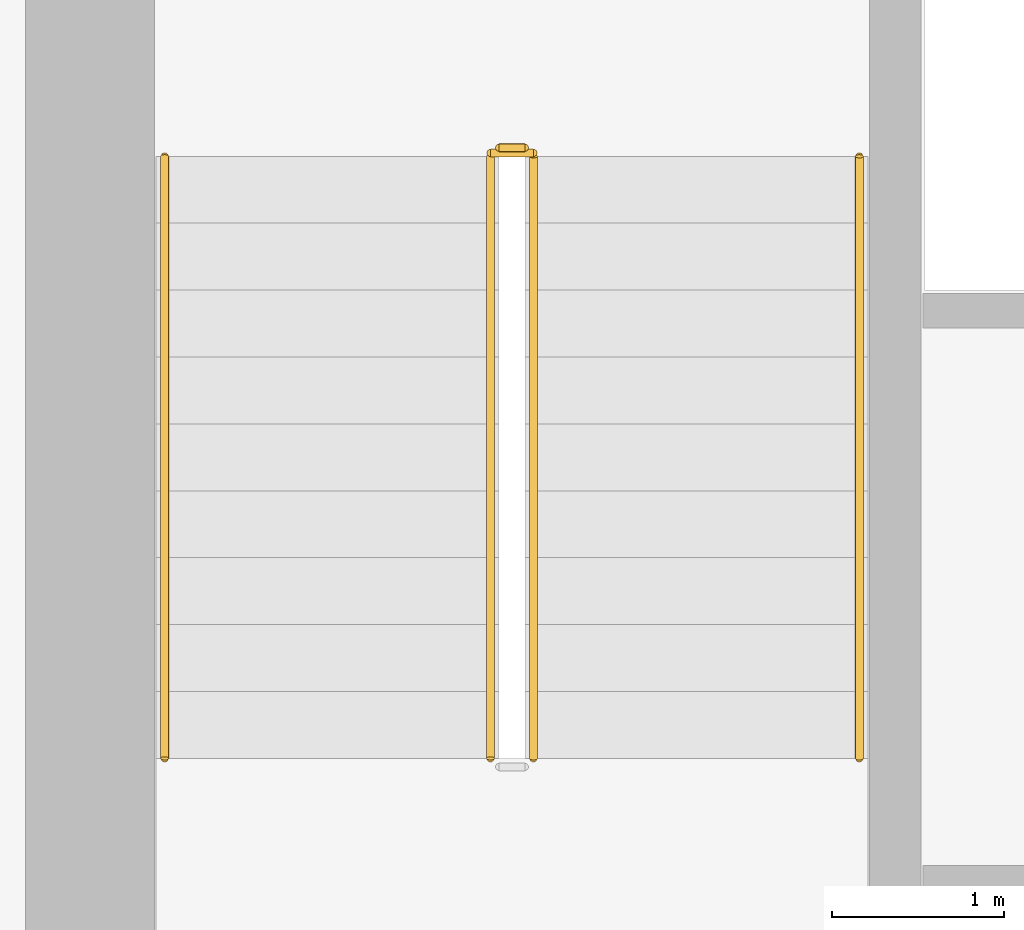
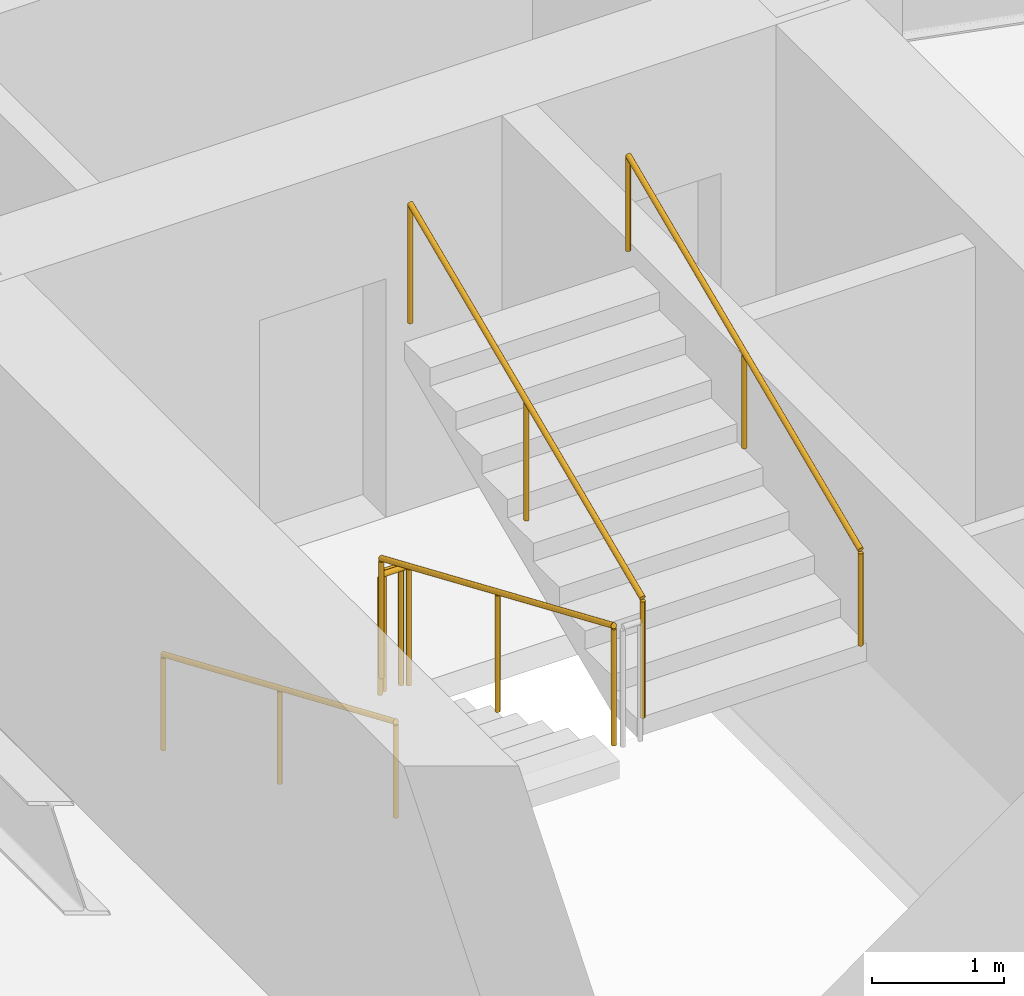
# One storey, part 30 of 33: 6 railings.
"""IFC4 building model written with IfcOpenShell, lengths in metres."""

from ifc_helpers import new_model, si_unit, direction, frame, origin, origin_2d, place, context, subcontext, project, spatial, circle, extrude, material, layer, layer_set, type_object, element, save


model = new_model("IFC4")

# Units and contexts
model_context = context("Model", 3, precision=1e-05, world=origin(), true_north=direction((0.0, 1.0)))
body_context = subcontext(model_context, "Body", "Model", "MODEL_VIEW")
ifc_project = project(units=[si_unit("LENGTHUNIT", "METRE"), si_unit("AREAUNIT", "SQUARE_METRE"), si_unit("VOLUMEUNIT", "CUBIC_METRE"), si_unit("PLANEANGLEUNIT", "RADIAN"), si_unit("MASSUNIT", "GRAM", prefix="KILO")], contexts=[model_context])

# Site, building, storey
site_placement = place(None, origin())
site = spatial("IfcSite", under=ifc_project, at=site_placement, CompositionType="ELEMENT")
building_placement = place(site_placement, origin())
building = spatial("IfcBuilding", under=site, at=building_placement, Name="Hatsunagi Terrace Concourse", CompositionType="ELEMENT")
storey_placement = place(building_placement, frame((0.0, 0.0, 56.699951171875)))
storey = spatial("IfcBuildingStorey", under=building, at=storey_placement, Name="L14", CompositionType="ELEMENT", Elevation=56.699951171875)

# Railings
ifc_material_1 = material(Name="Stainless steel", Category="steel")
ifc_layer_1 = layer(ifc_material_1, 0.044921875)
ifc_layer_set_1 = layer_set([ifc_layer_1], Name="StairPitchHandrail_Tower2000")
railing_type_1 = type_object("IfcRailingType", Name="StairPitchHandrail_Tower2000", PredefinedType="HANDRAIL", material=ifc_layer_set_1)
railing_1_placement = place(storey_placement, frame((36.550048828125, 32.659912109375, 0.16748046875)))
element("IfcRailing", 1, at=railing_1_placement, inside=storey, type_object=railing_type_1, Name="L14 ST-B stair handrail 1", PredefinedType="HANDRAIL", context=body_context, shape_type="SweptSolid", body=[
    extrude(circle(Radius=0.02392578125, at=origin_2d()), frame((0.0, 0.0, 0.8759765625), z_axis=(0.0, -0.918834009242, 0.394644223904), x_axis=(1.0, 0.0, 0.0)), (0.0, 0.0, 1.0), 3.820068359375),
    extrude(circle(Radius=0.02099609375, at=origin_2d()), origin(), (0.0, 0.0, 1.0), 0.851806640625),
    extrude(circle(Radius=0.02099609375, at=origin_2d()), frame((0.0, -1.7548828125, 0.75390625)), (0.0, 0.0, 1.0), 0.851806640625),
    extrude(circle(Radius=0.02099609375, at=origin_2d()), frame((0.0, -3.510009765625, 1.507568359375)), (0.0, 0.0, 1.0), 0.851806640625),
])
railing_2_placement = place(storey_placement, frame((40.60009765625, 29.14990234375, 1.842529296875)))
element("IfcRailing", 2, at=railing_2_placement, inside=storey, type_object=railing_type_1, Name="L14 ST-B stair handrail 2", PredefinedType="HANDRAIL", context=body_context, shape_type="SweptSolid", body=[
    extrude(circle(Radius=0.02392578125, at=origin_2d()), frame((0.0, 0.0, 0.8759765625), z_axis=(0.0, 0.918834009242, 0.394644223904), x_axis=(-1.0, 0.0, 0.0)), (0.0, 0.0, 1.0), 3.820068359375),
    extrude(circle(Radius=0.02099609375, at=origin_2d()), origin(), (0.0, 0.0, 1.0), 0.851806640625),
    extrude(circle(Radius=0.02099609375, at=origin_2d()), frame((0.0, 1.7548828125, 0.75390625)), (0.0, 0.0, 1.0), 0.851806640625),
    extrude(circle(Radius=0.02099609375, at=origin_2d()), frame((0.0, 3.510009765625, 1.507568359375)), (0.0, 0.0, 1.0), 0.851806640625),
])
ifc_material_2 = material(Name="Stainless steel", Category="steel")
ifc_layer_2 = layer(ifc_material_2, 0.06005859375)
ifc_layer_set_2 = layer_set([ifc_layer_2], Name="StairWellGuard_Tower2000")
railing_type_2 = type_object("IfcRailingType", Name="StairWellGuard_Tower2000", PredefinedType="BALUSTRADE", material=ifc_layer_set_2)
railing_3_placement = place(storey_placement, frame((38.449951171875, 32.659912109375, 0.16748046875)))
element("IfcRailing", 3, at=railing_3_placement, inside=storey, type_object=railing_type_2, Name="L14 ST-B stair guard 1", PredefinedType="BALUSTRADE", context=body_context, shape_type="SweptSolid", body=[
    extrude(circle(Radius=0.02392578125, at=origin_2d()), frame((0.0, 0.0, 1.09619140625), z_axis=(0.0, -0.918834009242, 0.394644223904), x_axis=(1.0, 0.0, 0.0)), (0.0, 0.0, 1.0), 3.820068359375),
    extrude(circle(Radius=0.02099609375, at=origin_2d()), origin(), (0.0, 0.0, 1.0), 1.072021484375),
    extrude(circle(Radius=0.02099609375, at=origin_2d()), frame((0.0, -1.7548828125, 0.75390625)), (0.0, 0.0, 1.0), 1.072021484375),
    extrude(circle(Radius=0.02099609375, at=origin_2d()), frame((0.0, -3.510009765625, 1.507568359375)), (0.0, 0.0, 1.0), 1.072021484375),
])
railing_4_placement = place(storey_placement, frame((38.699951171875, 29.14990234375, 1.842529296875)))
element("IfcRailing", 4, at=railing_4_placement, inside=storey, type_object=railing_type_2, Name="L14 ST-B stair guard 3", PredefinedType="BALUSTRADE", context=body_context, shape_type="SweptSolid", body=[
    extrude(circle(Radius=0.02392578125, at=origin_2d()), frame((0.0, 0.0, 1.09619140625), z_axis=(0.0, 0.918834009242, 0.394644223904), x_axis=(-1.0, 0.0, 0.0)), (0.0, 0.0, 1.0), 3.820068359375),
    extrude(circle(Radius=0.02099609375, at=origin_2d()), origin(), (0.0, 0.0, 1.0), 1.072021484375),
    extrude(circle(Radius=0.02099609375, at=origin_2d()), frame((0.0, 1.7548828125, 0.75390625)), (0.0, 0.0, 1.0), 1.072021484375),
    extrude(circle(Radius=0.02099609375, at=origin_2d()), frame((0.0, 3.510009765625, 1.507568359375)), (0.0, 0.0, 1.0), 1.072021484375),
])
railing_5_placement = place(storey_placement, frame((38.5, 32.7099609375, 0.0)))
element("IfcRailing", 5, at=railing_5_placement, inside=storey, type_object=railing_type_2, Name="L14 ST-B stair guard 4", PredefinedType="BALUSTRADE", context=body_context, shape_type="SweptSolid", body=[
    extrude(circle(Radius=0.02392578125, at=origin_2d()), frame((0.0, 0.0, 1.09619140625), z_axis=(1.0, 0.0, 0.0), x_axis=(0.0, 1.0, 0.0)), (0.0, 0.0, 1.0), 0.14990234375),
    extrude(circle(Radius=0.02099609375, at=origin_2d()), origin(), (0.0, 0.0, 1.0), 1.072021484375),
    extrude(circle(Radius=0.02099609375, at=origin_2d()), frame((0.14990234375, 0.0, 0.0)), (0.0, 0.0, 1.0), 1.072021484375),
])
ifc_material_3 = material(Name="Stainless Steel SUS316 Post-and-Rail Guard", Category="steel")
ifc_layer_3 = layer(ifc_material_3, 0.080078125)
ifc_layer_set_3 = layer_set([ifc_layer_3], Name="TerracePlantedGuardRail_1200")
railing_type_3 = type_object("IfcRailingType", Name="TerracePlantedGuardRail_1200", PredefinedType="GUARDRAIL", material=ifc_layer_set_3)
railing_6_placement = place(storey_placement, frame((38.449951171875, 32.679931640625, 0.0)))
element("IfcRailing", 6, at=railing_6_placement, inside=storey, type_object=railing_type_3, Name="Stair ST-B Well Closure Guard L14", PredefinedType="GUARDRAIL", context=body_context, shape_type="SweptSolid", body=[
    extrude(circle(Radius=0.02392578125, at=origin_2d()), frame((0.0, 0.0, 1.09619140625), z_axis=(1.0, 0.0, 0.0), x_axis=(0.0, 1.0, 0.0)), (0.0, 0.0, 1.0), 0.25),
    extrude(circle(Radius=0.02099609375, at=origin_2d()), origin(), (0.0, 0.0, 1.0), 1.072021484375),
    extrude(circle(Radius=0.02099609375, at=origin_2d()), frame((0.25, 0.0, 0.0)), (0.0, 0.0, 1.0), 1.072021484375),
])

save(model, "model.ifc")
